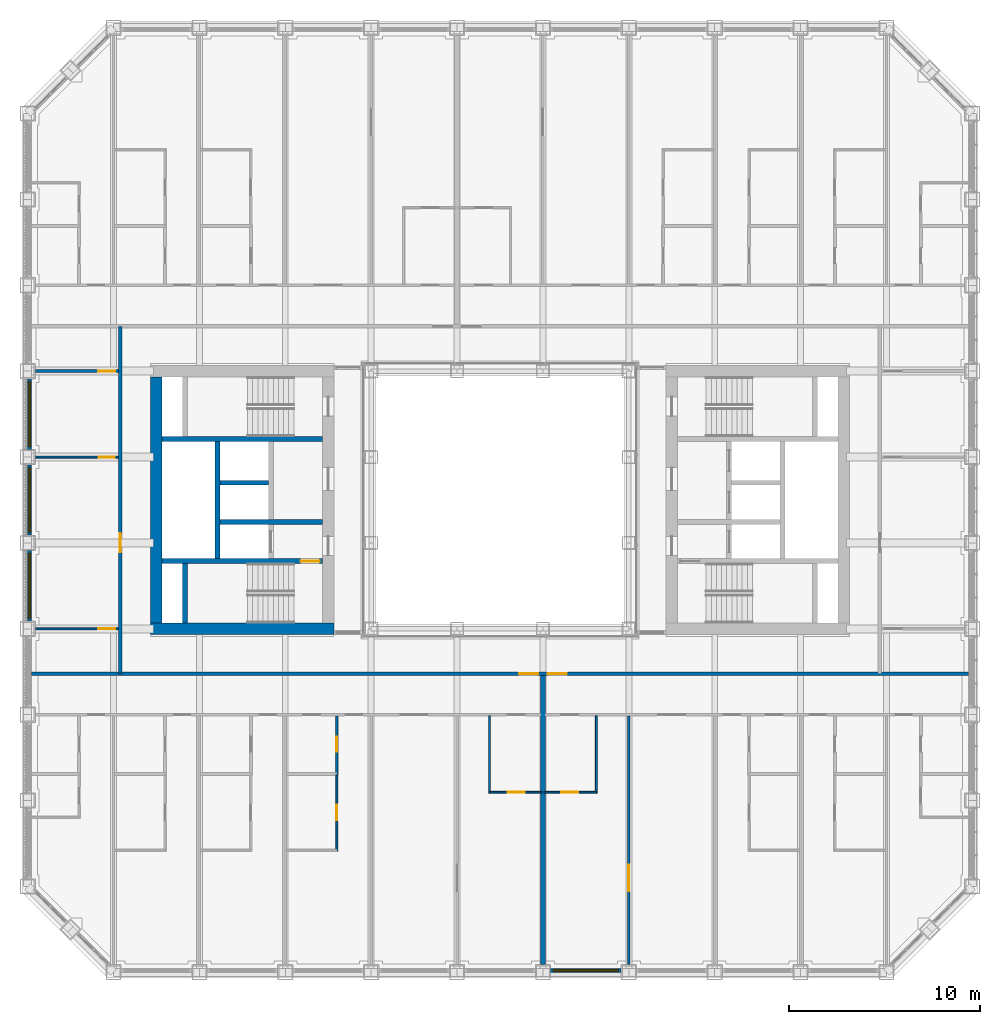
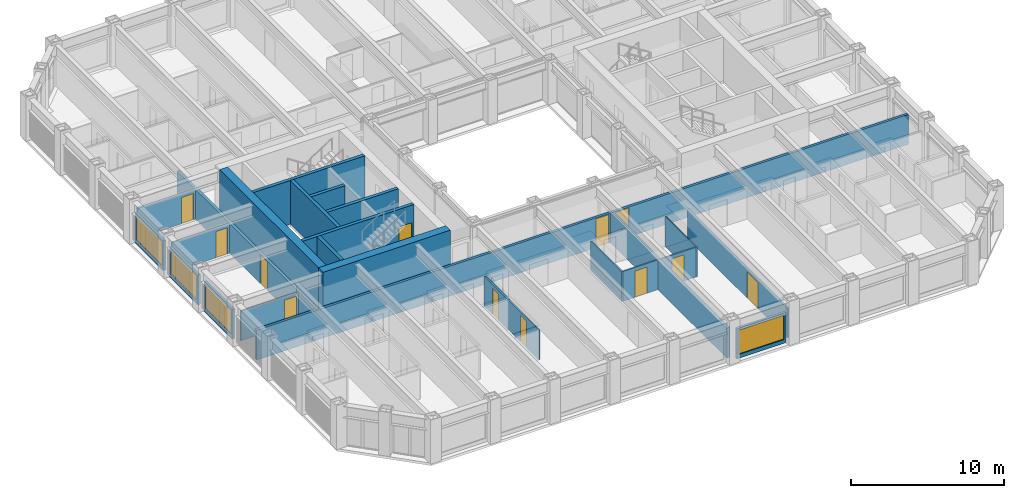
# One storey, part 10 of 21: 25 walls, 12 doors, 4 windows, 16 openings.
"""IFC4 building model written with IfcOpenShell, lengths in metres."""

from ifc_helpers import new_model, si_unit, direction, frame, frame_2d, origin, place, context, subcontext, project, spatial, rectangle, extrude, material, layer, layer_set, type_object, element, fill, save


model = new_model("IFC4")

# Units and contexts
model_context = context("Model", 3, precision=1e-05, world=origin(), true_north=direction((0.0, 1.0)))
body_context = subcontext(model_context, "Body", "Model", "MODEL_VIEW")
ifc_project = project(units=[si_unit("LENGTHUNIT", "METRE"), si_unit("AREAUNIT", "SQUARE_METRE"), si_unit("VOLUMEUNIT", "CUBIC_METRE"), si_unit("PLANEANGLEUNIT", "RADIAN"), si_unit("MASSUNIT", "GRAM", prefix="KILO")], contexts=[model_context])

# Site, building, storey
site_placement = place(None, origin())
site = spatial("IfcSite", under=ifc_project, at=site_placement, CompositionType="ELEMENT")
building_placement = place(site_placement, origin())
building = spatial("IfcBuilding", under=site, at=building_placement, Name="Msasa Ring Tower", CompositionType="ELEMENT")
storey_placement = place(building_placement, frame((0.0, 0.0, 82.5)))
storey = spatial("IfcBuildingStorey", under=building, at=storey_placement, Name="L21", CompositionType="ELEMENT", Elevation=82.5)

# Walls
ifc_material_1 = material(Name="Concrete C60/75", Category="concrete")
ifc_layer_1 = layer(ifc_material_1, 0.60009765625)
ifc_layer_set_1 = layer_set([ifc_layer_1], Name="CW1 CORE WALL 600")
wall_type_1 = type_object("IfcWallType", Name="CW1 CORE WALL 600", PredefinedType="SHEAR", material=ifc_layer_set_1)
wall_1_placement = place(storey_placement, frame((-8.699951171875, -6.75, 0.0), z_axis=(0.0, 0.0, 1.0), x_axis=(-1.0, 0.0, 0.0)))
element("IfcWall", 1, at=wall_1_placement, inside=storey, type_object=wall_type_1, Name="W core wall S L21", PredefinedType="SHEAR", context=body_context, shape_type="SweptSolid", body=[
    extrude(rectangle(XDim=9.60009765625, YDim=0.60009765625, at=frame_2d((4.800048828125, 0.0))), origin(), (0.0, 0.0, 1.0), 3.5),
])
wall_2_placement = place(storey_placement, frame((-18.0, -6.449951171875, 0.0), z_axis=(0.0, 0.0, 1.0), x_axis=(0.0, 1.0, 0.0)))
element("IfcWall", 2, at=wall_2_placement, inside=storey, type_object=wall_type_1, Name="W core wall E L21", PredefinedType="SHEAR", context=body_context, shape_type="SweptSolid", body=[
    extrude(rectangle(XDim=12.89990234375, YDim=0.60009765625, at=frame_2d((6.449951171875, 0.0))), origin(), (0.0, 0.0, 1.0), 3.5),
])

# Wall, opening, door
ifc_material_2 = material(Name="Concrete C60/75", Category="concrete")
ifc_layer_2 = layer(ifc_material_2, 0.25)
ifc_layer_set_2 = layer_set([ifc_layer_2], Name="CW4 CORE INNER WALL 250")
wall_type_2 = type_object("IfcWallType", Name="CW4 CORE INNER WALL 250", PredefinedType="SHEAR", material=ifc_layer_set_2)
wall_3_placement = place(storey_placement, frame((-9.300048828125, -3.199951171875, 0.0), z_axis=(0.0, 0.0, 1.0), x_axis=(-1.0, 0.0, 0.0)))
wall_3 = element("IfcWall", 3, at=wall_3_placement, inside=storey, type_object=wall_type_2, Name="W core wall STAIRA L21", PredefinedType="SHEAR", context=body_context, shape_type="SweptSolid", body=[
    extrude(rectangle(XDim=8.39990234375, YDim=0.25, at=frame_2d((4.199951171875, 0.0))), origin(), (0.0, 0.0, 1.0), 3.5),
])
opening_1_placement = place(wall_3_placement, frame((0.14990234375, 0.0, 0.0)))
opening_1 = element("IfcOpeningElement", 4, at=opening_1_placement, cuts=wall_3, Name="Opening RF-048", PredefinedType="OPENING", context=body_context, shape_type="SweptSolid", body=[
    extrude(rectangle(XDim=1.0, YDim=2.10009765625, at=frame_2d((0.5, 1.050048828125))), frame((0.0, 0.135009765625, 0.0), z_axis=(0.0, -1.0, 0.0), x_axis=(1.0, 0.0, 0.0)), (0.0, 0.0, 1.0), 0.27001953125),
])
ifc_material_3 = material(Name="Timber door leaf in a steel frame", Category="steel")
door_type_1 = type_object("IfcDoorType", Name="D6 STAIR DOOR 1000x2100", OperationType="SINGLE_SWING_LEFT", PredefinedType="DOOR", material=ifc_material_3)
door_1_placement = place(opening_1_placement, origin())
door_1 = element("IfcDoor", 5, at=door_1_placement, inside=storey, type_object=door_type_1, Name="Door L21-WSTA", OperationType="SINGLE_SWING_LEFT", OverallHeight=2.10009765625, OverallWidth=1.0, PredefinedType="DOOR", context=body_context, shape_type="SweptSolid", body=[
    extrude(rectangle(XDim=1.0, YDim=2.10009765625, at=frame_2d((0.5, 1.050048828125))), frame((0.0, 0.02490234375, 0.0), z_axis=(0.0, -1.0, 0.0), x_axis=(1.0, 0.0, 0.0)), (0.0, 0.0, 1.0), 0.050048828125),
])
fill(opening_1, door_1)

# Walls
wall_4_placement = place(storey_placement, frame((-9.300048828125, 3.199951171875, 0.0), z_axis=(0.0, 0.0, 1.0), x_axis=(-1.0, 0.0, 0.0)))
element("IfcWall", 6, at=wall_4_placement, inside=storey, type_object=wall_type_2, Name="W core wall STAIRB L21", PredefinedType="SHEAR", context=body_context, shape_type="SweptSolid", body=[
    extrude(rectangle(XDim=8.39990234375, YDim=0.25, at=frame_2d((4.199951171875, 0.0))), origin(), (0.0, 0.0, 1.0), 3.5),
])
wall_5_placement = place(storey_placement, frame((-16.5, -6.449951171875, 0.0), z_axis=(0.0, 0.0, 1.0), x_axis=(0.0, 1.0, 0.0)))
element("IfcWall", 7, at=wall_5_placement, inside=storey, type_object=wall_type_2, Name="W core wall RISERA L21", PredefinedType="SHEAR", context=body_context, shape_type="SweptSolid", body=[
    extrude(rectangle(XDim=3.125, YDim=0.25, at=frame_2d((1.5625, 0.0))), origin(), (0.0, 0.0, 1.0), 3.5),
])
wall_6_placement = place(storey_placement, frame((-9.300048828125, -1.14990234375, 0.0), z_axis=(0.0, 0.0, 1.0), x_axis=(-1.0, 0.0, 0.0)))
element("IfcWall", 8, at=wall_6_placement, inside=storey, type_object=wall_type_2, Name="W core wall FFL L21", PredefinedType="SHEAR", context=body_context, shape_type="SweptSolid", body=[
    extrude(rectangle(XDim=5.375, YDim=0.25, at=frame_2d((2.6875, 0.0))), origin(), (0.0, 0.0, 1.0), 3.5),
])
wall_7_placement = place(storey_placement, frame((-14.800048828125, -3.074951171875, 0.0), z_axis=(0.0, 0.0, 1.0), x_axis=(0.0, 1.0, 0.0)))
element("IfcWall", 9, at=wall_7_placement, inside=storey, type_object=wall_type_2, Name="W core wall SHAFT L21", PredefinedType="SHEAR", context=body_context, shape_type="SweptSolid", body=[
    extrude(rectangle(XDim=6.14990234375, YDim=0.25, at=frame_2d((3.074951171875, 0.0))), origin(), (0.0, 0.0, 1.0), 3.5),
])
wall_8_placement = place(storey_placement, frame((-12.125, 0.89990234375, 0.0), z_axis=(0.0, 0.0, 1.0), x_axis=(-1.0, 0.0, 0.0)))
element("IfcWall", 10, at=wall_8_placement, inside=storey, type_object=wall_type_2, Name="W core wall LIFT1 L21", PredefinedType="SHEAR", context=body_context, shape_type="SweptSolid", body=[
    extrude(rectangle(XDim=2.550048828125, YDim=0.25, at=frame_2d((1.27490234375, 0.0))), origin(), (0.0, 0.0, 1.0), 3.5),
])

# Wall, opening, window
ifc_material_4 = material(Name="Terracotta rainscreen on blockwork", Category="masonry")
ifc_layer_3 = layer(ifc_material_4, 0.199951171875)
ifc_layer_set_3 = layer_set([ifc_layer_3], Name="FW1 TERRACOTTA-LINED INFILL BAY WALL 200")
wall_type_3 = type_object("IfcWallType", Name="FW1 TERRACOTTA-LINED INFILL BAY WALL 200", PredefinedType="SOLIDWALL", material=ifc_layer_set_3)
wall_9_placement = place(storey_placement, frame((2.655029296875, -24.64990234375, 0.0), z_axis=(0.0, 0.0, 1.0), x_axis=(1.0, 0.0, 0.0)))
wall_9 = element("IfcWall", 11, at=wall_9_placement, inside=storey, type_object=wall_type_3, Name="Infill bay wall S L21 05", PredefinedType="SOLIDWALL", context=body_context, shape_type="SweptSolid", body=[
    extrude(rectangle(XDim=3.68994140625, YDim=0.199951171875, at=frame_2d((1.844970703125, 0.0))), origin(), (0.0, 0.0, 1.0), 2.37890625),
])
opening_2_placement = place(wall_9_placement, frame((0.14501953125, 0.0, 0.300048828125)))
opening_2 = element("IfcOpeningElement", 12, at=opening_2_placement, cuts=wall_9, Name="Opening WN1", PredefinedType="OPENING", context=body_context, shape_type="SweptSolid", body=[
    extrude(rectangle(XDim=3.39990234375, YDim=1.928955078125, at=frame_2d((1.699951171875, 0.96435546875))), frame((0.0, 0.10986328125, 0.0), z_axis=(0.0, -1.0, 0.0), x_axis=(1.0, 0.0, 0.0)), (0.0, 0.0, 1.0), 0.219970703125),
])
ifc_material_5 = material(Name="Aluminium frame with clear glass", Category="aluminium")
window_type = type_object("IfcWindowType", Name="WN1 RESIDENCE WINDOW 3400x1929", PartitioningType="SINGLE_PANEL", PredefinedType="WINDOW", material=ifc_material_5)
window_1_placement = place(opening_2_placement, origin())
window_1 = element("IfcWindow", 13, at=window_1_placement, inside=storey, type_object=window_type, Name="Window S L21 05", OverallHeight=1.928955078125, OverallWidth=3.39990234375, PartitioningType="SINGLE_PANEL", PredefinedType="WINDOW", context=body_context, shape_type="SweptSolid", body=[
    extrude(rectangle(XDim=3.39990234375, YDim=1.928955078125, at=frame_2d((1.699951171875, 0.96435546875))), frame((0.0, 0.030029296875, 0.0), z_axis=(0.0, -1.0, 0.0), x_axis=(1.0, 0.0, 0.0)), (0.0, 0.0, 1.0), 0.06005859375),
])
fill(opening_2, window_1)

wall_10_placement = place(storey_placement, frame((-24.64990234375, -6.344970703125, 0.0), z_axis=(0.0, 0.0, 1.0), x_axis=(0.0, 1.0, 0.0)))
wall_10 = element("IfcWall", 14, at=wall_10_placement, inside=storey, type_object=wall_type_3, Name="Infill bay wall W L21 36", PredefinedType="SOLIDWALL", context=body_context, shape_type="SweptSolid", body=[
    extrude(rectangle(XDim=3.68994140625, YDim=0.199951171875, at=frame_2d((1.844970703125, 0.0))), origin(), (0.0, 0.0, 1.0), 2.37890625),
])
opening_3_placement = place(wall_10_placement, frame((0.14501953125, 0.0, 0.300048828125)))
opening_3 = element("IfcOpeningElement", 15, at=opening_3_placement, cuts=wall_10, Name="Opening WN1", PredefinedType="OPENING", context=body_context, shape_type="SweptSolid", body=[
    extrude(rectangle(XDim=3.39990234375, YDim=1.928955078125, at=frame_2d((1.699951171875, 0.96435546875))), frame((0.0, 0.10986328125, 0.0), z_axis=(0.0, -1.0, 0.0), x_axis=(1.0, 0.0, 0.0)), (0.0, 0.0, 1.0), 0.219970703125),
])
window_2_placement = place(opening_3_placement, origin())
window_2 = element("IfcWindow", 16, at=window_2_placement, inside=storey, type_object=window_type, Name="Window W L21 36", OverallHeight=1.928955078125, OverallWidth=3.39990234375, PartitioningType="SINGLE_PANEL", PredefinedType="WINDOW", context=body_context, shape_type="SweptSolid", body=[
    extrude(rectangle(XDim=3.39990234375, YDim=1.928955078125, at=frame_2d((1.699951171875, 0.96435546875))), frame((0.0, 0.030029296875, 0.0), z_axis=(0.0, -1.0, 0.0), x_axis=(1.0, 0.0, 0.0)), (0.0, 0.0, 1.0), 0.06005859375),
])
fill(opening_3, window_2)

wall_11_placement = place(storey_placement, frame((-24.64990234375, -1.844970703125, 0.0), z_axis=(0.0, 0.0, 1.0), x_axis=(0.0, 1.0, 0.0)))
wall_11 = element("IfcWall", 17, at=wall_11_placement, inside=storey, type_object=wall_type_3, Name="Infill bay wall W L21 37", PredefinedType="SOLIDWALL", context=body_context, shape_type="SweptSolid", body=[
    extrude(rectangle(XDim=3.68994140625, YDim=0.199951171875, at=frame_2d((1.844970703125, 0.0))), origin(), (0.0, 0.0, 1.0), 2.37890625),
])
opening_4_placement = place(wall_11_placement, frame((0.14501953125, 0.0, 0.300048828125)))
opening_4 = element("IfcOpeningElement", 18, at=opening_4_placement, cuts=wall_11, Name="Opening WN1", PredefinedType="OPENING", context=body_context, shape_type="SweptSolid", body=[
    extrude(rectangle(XDim=3.39990234375, YDim=1.928955078125, at=frame_2d((1.699951171875, 0.96435546875))), frame((0.0, 0.10986328125, 0.0), z_axis=(0.0, -1.0, 0.0), x_axis=(1.0, 0.0, 0.0)), (0.0, 0.0, 1.0), 0.219970703125),
])
window_3_placement = place(opening_4_placement, origin())
window_3 = element("IfcWindow", 19, at=window_3_placement, inside=storey, type_object=window_type, Name="Window W L21 37", OverallHeight=1.928955078125, OverallWidth=3.39990234375, PartitioningType="SINGLE_PANEL", PredefinedType="WINDOW", context=body_context, shape_type="SweptSolid", body=[
    extrude(rectangle(XDim=3.39990234375, YDim=1.928955078125, at=frame_2d((1.699951171875, 0.96435546875))), frame((0.0, 0.030029296875, 0.0), z_axis=(0.0, -1.0, 0.0), x_axis=(1.0, 0.0, 0.0)), (0.0, 0.0, 1.0), 0.06005859375),
])
fill(opening_4, window_3)

wall_12_placement = place(storey_placement, frame((-24.64990234375, 2.655029296875, 0.0), z_axis=(0.0, 0.0, 1.0), x_axis=(0.0, 1.0, 0.0)))
wall_12 = element("IfcWall", 20, at=wall_12_placement, inside=storey, type_object=wall_type_3, Name="Infill bay wall W L21 38", PredefinedType="SOLIDWALL", context=body_context, shape_type="SweptSolid", body=[
    extrude(rectangle(XDim=3.68994140625, YDim=0.199951171875, at=frame_2d((1.844970703125, 0.0))), origin(), (0.0, 0.0, 1.0), 2.37890625),
])
opening_5_placement = place(wall_12_placement, frame((0.14501953125, 0.0, 0.300048828125)))
opening_5 = element("IfcOpeningElement", 21, at=opening_5_placement, cuts=wall_12, Name="Opening WN1", PredefinedType="OPENING", context=body_context, shape_type="SweptSolid", body=[
    extrude(rectangle(XDim=3.39990234375, YDim=1.928955078125, at=frame_2d((1.699951171875, 0.96435546875))), frame((0.0, 0.10986328125, 0.0), z_axis=(0.0, -1.0, 0.0), x_axis=(1.0, 0.0, 0.0)), (0.0, 0.0, 1.0), 0.219970703125),
])
window_4_placement = place(opening_5_placement, origin())
window_4 = element("IfcWindow", 22, at=window_4_placement, inside=storey, type_object=window_type, Name="Window W L21 38", OverallHeight=1.928955078125, OverallWidth=3.39990234375, PartitioningType="SINGLE_PANEL", PredefinedType="WINDOW", context=body_context, shape_type="SweptSolid", body=[
    extrude(rectangle(XDim=3.39990234375, YDim=1.928955078125, at=frame_2d((1.699951171875, 0.96435546875))), frame((0.0, 0.030029296875, 0.0), z_axis=(0.0, -1.0, 0.0), x_axis=(1.0, 0.0, 0.0)), (0.0, 0.0, 1.0), 0.06005859375),
])
fill(opening_5, window_4)

# Wall, openings, doors
ifc_material_6 = material(Name="Concrete blockwork", Category="masonry")
ifc_layer_4 = layer(ifc_material_6, 0.199951171875)
ifc_layer_set_4 = layer_set([ifc_layer_4], Name="PT1 CORRIDOR WALL 200")
wall_type_4 = type_object("IfcWallType", Name="PT1 CORRIDOR WALL 200", PredefinedType="PARTITIONING", material=ifc_layer_set_4)
wall_13_placement = place(storey_placement, frame((-24.550048828125, -9.10009765625, 0.0), z_axis=(0.0, 0.0, 1.0), x_axis=(1.0, 0.0, 0.0)))
wall_13 = element("IfcWall", 23, at=wall_13_placement, inside=storey, type_object=wall_type_4, Name="Corridor wall L21-CORRS0", PredefinedType="PARTITIONING", context=body_context, shape_type="SweptSolid", body=[
    extrude(rectangle(XDim=49.10009765625, YDim=0.199951171875, at=frame_2d((24.550048828125, 0.0))), origin(), (0.0, 0.0, 1.0), 2.373291015625),
])
opening_6_placement = place(wall_13_placement, frame((25.550048828125, 0.0, 0.0)))
opening_6 = element("IfcOpeningElement", 24, at=opening_6_placement, cuts=wall_13, Name="Opening RF-054", PredefinedType="OPENING", context=body_context, shape_type="SweptSolid", body=[
    extrude(rectangle(XDim=1.0, YDim=2.300048828125, at=frame_2d((0.5, 1.14990234375))), frame((0.0, 0.10986328125, 0.0), z_axis=(0.0, -1.0, 0.0), x_axis=(1.0, 0.0, 0.0)), (0.0, 0.0, 1.0), 0.219970703125),
])
opening_7_placement = place(wall_13_placement, frame((27.050048828125, 0.0, 0.0)))
opening_7 = element("IfcOpeningElement", 25, at=opening_7_placement, cuts=wall_13, Name="Opening RF-055", PredefinedType="OPENING", context=body_context, shape_type="SweptSolid", body=[
    extrude(rectangle(XDim=1.0, YDim=2.300048828125, at=frame_2d((0.5, 1.14990234375))), frame((0.0, 0.10986328125, 0.0), z_axis=(0.0, -1.0, 0.0), x_axis=(1.0, 0.0, 0.0)), (0.0, 0.0, 1.0), 0.219970703125),
])
ifc_material_7 = material(Name="Timber door leaf in a steel frame", Category="steel")
door_type_2 = type_object("IfcDoorType", Name="D16 UPPER RESIDENCE ENTRANCE DOOR 1000x2300", OperationType="SINGLE_SWING_LEFT", PredefinedType="DOOR", material=ifc_material_7)
door_2_placement = place(opening_6_placement, origin())
door_2 = element("IfcDoor", 26, at=door_2_placement, inside=storey, type_object=door_type_2, Name="Door L21-VSW", OperationType="SINGLE_SWING_RIGHT", OverallHeight=2.300048828125, OverallWidth=1.0, PredefinedType="DOOR", context=body_context, shape_type="SweptSolid", body=[
    extrude(rectangle(XDim=1.0, YDim=2.300048828125, at=frame_2d((0.5, 1.14990234375))), frame((0.0, 0.02490234375, 0.0), z_axis=(0.0, -1.0, 0.0), x_axis=(1.0, 0.0, 0.0)), (0.0, 0.0, 1.0), 0.050048828125),
])
fill(opening_6, door_2)
door_3_placement = place(opening_7_placement, origin())
door_3 = element("IfcDoor", 27, at=door_3_placement, inside=storey, type_object=door_type_2, Name="Door L21-VSE", OperationType="SINGLE_SWING_RIGHT", OverallHeight=2.300048828125, OverallWidth=1.0, PredefinedType="DOOR", context=body_context, shape_type="SweptSolid", body=[
    extrude(rectangle(XDim=1.0, YDim=2.300048828125, at=frame_2d((0.5, 1.14990234375))), frame((0.0, 0.02490234375, 0.0), z_axis=(0.0, -1.0, 0.0), x_axis=(1.0, 0.0, 0.0)), (0.0, 0.0, 1.0), 0.050048828125),
])
fill(opening_7, door_3)

# Wall, opening, door
wall_14_placement = place(storey_placement, frame((-19.89990234375, -9.10009765625, 0.0), z_axis=(0.0, 0.0, 1.0), x_axis=(0.0, 1.0, 0.0)))
wall_14 = element("IfcWall", 28, at=wall_14_placement, inside=storey, type_object=wall_type_4, Name="Corridor wall L21-STRW", PredefinedType="PARTITIONING", context=body_context, shape_type="SweptSolid", body=[
    extrude(rectangle(XDim=18.2001953125, YDim=0.199951171875, at=frame_2d((9.10009765625, 0.0))), origin(), (0.0, 0.0, 1.0), 2.373291015625),
])
opening_8_placement = place(wall_14_placement, frame((6.35009765625, 0.0, 0.0)))
opening_8 = element("IfcOpeningElement", 29, at=opening_8_placement, cuts=wall_14, Name="Opening RF-044", PredefinedType="OPENING", context=body_context, shape_type="SweptSolid", body=[
    extrude(rectangle(XDim=1.0, YDim=2.300048828125, at=frame_2d((0.5, 1.14990234375))), frame((0.0, 0.10986328125, 0.0), z_axis=(0.0, -1.0, 0.0), x_axis=(1.0, 0.0, 0.0)), (0.0, 0.0, 1.0), 0.219970703125),
])
door_4_placement = place(opening_8_placement, origin())
door_4 = element("IfcDoor", 30, at=door_4_placement, inside=storey, type_object=door_type_2, Name="Door L21-STW", OperationType="SINGLE_SWING_LEFT", OverallHeight=2.300048828125, OverallWidth=1.0, PredefinedType="DOOR", context=body_context, shape_type="SweptSolid", body=[
    extrude(rectangle(XDim=1.0, YDim=2.300048828125, at=frame_2d((0.5, 1.14990234375))), frame((0.0, 0.02490234375, 0.0), z_axis=(0.0, -1.0, 0.0), x_axis=(1.0, 0.0, 0.0)), (0.0, 0.0, 1.0), 0.050048828125),
])
fill(opening_8, door_4)

# Wall
ifc_material_8 = material(Name="Gypsum board on steel studs", Category="steel")
ifc_layer_5 = layer(ifc_material_8, 0.10009765625)
ifc_layer_set_5 = layer_set([ifc_layer_5], Name="PT2 STUD PARTITION 100")
wall_type_5 = type_object("IfcWallType", Name="PT2 STUD PARTITION 100", PredefinedType="PARTITIONING", material=ifc_layer_set_5)
wall_15_placement = place(storey_placement, frame((-0.550048828125, -15.362548828125, 0.0), z_axis=(0.0, 0.0, 1.0), x_axis=(0.0, 1.0, 0.0)))
element("IfcWall", 31, at=wall_15_placement, inside=storey, type_object=wall_type_5, Name="Partition L21-VSWKX", PredefinedType="PARTITIONING", context=body_context, shape_type="SweptSolid", body=[
    extrude(rectangle(XDim=4.050048828125, YDim=0.10009765625, at=frame_2d((2.02490234375, 0.0))), origin(), (0.0, 0.0, 1.0), 2.373291015625),
])

# Wall, opening, door
wall_16_placement = place(storey_placement, frame((-0.550048828125, -15.3125, 0.0), z_axis=(0.0, 0.0, 1.0), x_axis=(1.0, 0.0, 0.0)))
wall_16 = element("IfcWall", 32, at=wall_16_placement, inside=storey, type_object=wall_type_5, Name="Partition L21-VSWKY", PredefinedType="PARTITIONING", context=body_context, shape_type="SweptSolid", body=[
    extrude(rectangle(XDim=2.732666015625, YDim=0.10009765625, at=frame_2d((1.3662109375, 0.0))), origin(), (0.0, 0.0, 1.0), 2.373291015625),
])
opening_9_placement = place(wall_16_placement, frame((0.949951171875, 0.0, 0.0)))
opening_9 = element("IfcOpeningElement", 33, at=opening_9_placement, cuts=wall_16, Name="Opening RF-076", PredefinedType="OPENING", context=body_context, shape_type="SweptSolid", body=[
    extrude(rectangle(XDim=0.89990234375, YDim=2.10009765625, at=frame_2d((0.449951171875, 1.050048828125))), frame((0.0, 0.06005859375, 0.0), z_axis=(0.0, -1.0, 0.0), x_axis=(1.0, 0.0, 0.0)), (0.0, 0.0, 1.0), 0.1201171875),
])
ifc_material_9 = material(Name="Timber door leaf in a steel frame", Category="steel")
door_type_3 = type_object("IfcDoorType", Name="D22 INTERNAL HALL DOOR 900x2100", OperationType="SINGLE_SWING_LEFT", PredefinedType="DOOR", material=ifc_material_9)
door_5_placement = place(opening_9_placement, origin())
door_5 = element("IfcDoor", 34, at=door_5_placement, inside=storey, type_object=door_type_3, Name="Door L21-VSWKD", OperationType="SINGLE_SWING_RIGHT", OverallHeight=2.10009765625, OverallWidth=0.89990234375, PredefinedType="DOOR", context=body_context, shape_type="SweptSolid", body=[
    extrude(rectangle(XDim=0.89990234375, YDim=2.10009765625, at=frame_2d((0.449951171875, 1.050048828125))), frame((0.0, 0.02490234375, 0.0), z_axis=(0.0, -1.0, 0.0), x_axis=(1.0, 0.0, 0.0)), (0.0, 0.0, 1.0), 0.050048828125),
])
fill(opening_9, door_5)

wall_17_placement = place(storey_placement, frame((-8.550048828125, -18.403076171875, 0.0), z_axis=(0.0, 0.0, 1.0), x_axis=(0.0, 1.0, 0.0)))
wall_17 = element("IfcWall", 35, at=wall_17_placement, inside=storey, type_object=wall_type_5, Name="Partition L21-VSWWX1", PredefinedType="PARTITIONING", context=body_context, shape_type="SweptSolid", body=[
    extrude(rectangle(XDim=4.003173828125, YDim=0.10009765625, at=frame_2d((2.00146484375, 0.0))), origin(), (0.0, 0.0, 1.0), 2.373291015625),
])
opening_10_placement = place(wall_17_placement, frame((1.626708984375, 0.0, 0.0)))
opening_10 = element("IfcOpeningElement", 36, at=opening_10_placement, cuts=wall_17, Name="Opening RF-082", PredefinedType="OPENING", context=body_context, shape_type="SweptSolid", body=[
    extrude(rectangle(XDim=0.800048828125, YDim=2.10009765625, at=frame_2d((0.39990234375, 1.050048828125))), frame((0.0, 0.06005859375, 0.0), z_axis=(0.0, -1.0, 0.0), x_axis=(1.0, 0.0, 0.0)), (0.0, 0.0, 1.0), 0.1201171875),
])
ifc_material_10 = material(Name="Timber door leaf in a steel frame", Category="steel")
door_type_4 = type_object("IfcDoorType", Name="D60 DRESSING ROOM DOOR 800x2100", OperationType="SINGLE_SWING_LEFT", PredefinedType="DOOR", material=ifc_material_10)
door_6_placement = place(opening_10_placement, origin())
door_6 = element("IfcDoor", 37, at=door_6_placement, inside=storey, type_object=door_type_4, Name="Door L21-VSWW1", OperationType="SINGLE_SWING_LEFT", OverallHeight=2.10009765625, OverallWidth=0.800048828125, PredefinedType="DOOR", context=body_context, shape_type="SweptSolid", body=[
    extrude(rectangle(XDim=0.800048828125, YDim=2.10009765625, at=frame_2d((0.39990234375, 1.050048828125))), frame((0.0, 0.02490234375, 0.0), z_axis=(0.0, -1.0, 0.0), x_axis=(1.0, 0.0, 0.0)), (0.0, 0.0, 1.0), 0.050048828125),
])
fill(opening_10, door_6)

# Wall
wall_18_placement = place(storey_placement, frame((5.050048828125, -15.362548828125, 0.0), z_axis=(0.0, 0.0, 1.0), x_axis=(0.0, 1.0, 0.0)))
element("IfcWall", 38, at=wall_18_placement, inside=storey, type_object=wall_type_5, Name="Partition L21-VSEKX", PredefinedType="PARTITIONING", context=body_context, shape_type="SweptSolid", body=[
    extrude(rectangle(XDim=4.050048828125, YDim=0.10009765625, at=frame_2d((2.02490234375, 0.0))), origin(), (0.0, 0.0, 1.0), 2.373291015625),
])

# Wall, opening, door
wall_19_placement = place(storey_placement, frame((2.3173828125, -15.3125, 0.0), z_axis=(0.0, 0.0, 1.0), x_axis=(1.0, 0.0, 0.0)))
wall_19 = element("IfcWall", 39, at=wall_19_placement, inside=storey, type_object=wall_type_5, Name="Partition L21-VSEKY", PredefinedType="PARTITIONING", context=body_context, shape_type="SweptSolid", body=[
    extrude(rectangle(XDim=2.732666015625, YDim=0.10009765625, at=frame_2d((1.3662109375, 0.0))), origin(), (0.0, 0.0, 1.0), 2.373291015625),
])
opening_11_placement = place(wall_19_placement, frame((0.882568359375, 0.0, 0.0)))
opening_11 = element("IfcOpeningElement", 40, at=opening_11_placement, cuts=wall_19, Name="Opening RF-077", PredefinedType="OPENING", context=body_context, shape_type="SweptSolid", body=[
    extrude(rectangle(XDim=0.89990234375, YDim=2.10009765625, at=frame_2d((0.449951171875, 1.050048828125))), frame((0.0, 0.06005859375, 0.0), z_axis=(0.0, -1.0, 0.0), x_axis=(1.0, 0.0, 0.0)), (0.0, 0.0, 1.0), 0.1201171875),
])
door_7_placement = place(opening_11_placement, origin())
door_7 = element("IfcDoor", 41, at=door_7_placement, inside=storey, type_object=door_type_3, Name="Door L21-VSEKD", OperationType="SINGLE_SWING_LEFT", OverallHeight=2.10009765625, OverallWidth=0.89990234375, PredefinedType="DOOR", context=body_context, shape_type="SweptSolid", body=[
    extrude(rectangle(XDim=0.89990234375, YDim=2.10009765625, at=frame_2d((0.449951171875, 1.050048828125))), frame((0.0, 0.02490234375, 0.0), z_axis=(0.0, -1.0, 0.0), x_axis=(1.0, 0.0, 0.0)), (0.0, 0.0, 1.0), 0.050048828125),
])
fill(opening_11, door_7)

wall_20_placement = place(storey_placement, frame((-24.35009765625, -6.75, 0.0), z_axis=(0.0, 0.0, 1.0), x_axis=(1.0, 0.0, 0.0)))
wall_20 = element("IfcWall", 42, at=wall_20_placement, inside=storey, type_object=wall_type_5, Name="Partition L21-STWKY", PredefinedType="PARTITIONING", context=body_context, shape_type="SweptSolid", body=[
    extrude(rectangle(XDim=4.35009765625, YDim=0.10009765625, at=frame_2d((2.175048828125, 0.0))), origin(), (0.0, 0.0, 1.0), 2.373291015625),
])
opening_12_placement = place(wall_20_placement, frame((3.300048828125, 0.0, 0.0)))
opening_12 = element("IfcOpeningElement", 43, at=opening_12_placement, cuts=wall_20, Name="Opening RF-050", PredefinedType="OPENING", context=body_context, shape_type="SweptSolid", body=[
    extrude(rectangle(XDim=0.89990234375, YDim=2.10009765625, at=frame_2d((0.449951171875, 1.050048828125))), frame((0.0, 0.06005859375, 0.0), z_axis=(0.0, -1.0, 0.0), x_axis=(1.0, 0.0, 0.0)), (0.0, 0.0, 1.0), 0.1201171875),
])
door_8_placement = place(opening_12_placement, origin())
door_8 = element("IfcDoor", 44, at=door_8_placement, inside=storey, type_object=door_type_3, Name="Door L21-STWK", OperationType="SINGLE_SWING_RIGHT", OverallHeight=2.10009765625, OverallWidth=0.89990234375, PredefinedType="DOOR", context=body_context, shape_type="SweptSolid", body=[
    extrude(rectangle(XDim=0.89990234375, YDim=2.10009765625, at=frame_2d((0.449951171875, 1.050048828125))), frame((0.0, 0.02490234375, 0.0), z_axis=(0.0, -1.0, 0.0), x_axis=(1.0, 0.0, 0.0)), (0.0, 0.0, 1.0), 0.050048828125),
])
fill(opening_12, door_8)

wall_21_placement = place(storey_placement, frame((-24.35009765625, 2.25, 0.0), z_axis=(0.0, 0.0, 1.0), x_axis=(1.0, 0.0, 0.0)))
wall_21 = element("IfcWall", 45, at=wall_21_placement, inside=storey, type_object=wall_type_5, Name="Partition L21-STWRY", PredefinedType="PARTITIONING", context=body_context, shape_type="SweptSolid", body=[
    extrude(rectangle(XDim=4.35009765625, YDim=0.10009765625, at=frame_2d((2.175048828125, 0.0))), origin(), (0.0, 0.0, 1.0), 2.373291015625),
])
opening_13_placement = place(wall_21_placement, frame((3.324951171875, 0.0, 0.0)))
opening_13 = element("IfcOpeningElement", 46, at=opening_13_placement, cuts=wall_21, Name="Opening RF-040", PredefinedType="OPENING", context=body_context, shape_type="SweptSolid", body=[
    extrude(rectangle(XDim=0.85009765625, YDim=2.10009765625, at=frame_2d((0.425048828125, 1.050048828125))), frame((0.0, 0.06005859375, 0.0), z_axis=(0.0, -1.0, 0.0), x_axis=(1.0, 0.0, 0.0)), (0.0, 0.0, 1.0), 0.1201171875),
])
ifc_material_11 = material(Name="Timber door leaf in a steel frame", Category="steel")
door_type_5 = type_object("IfcDoorType", Name="D14 BEDROOM DOOR 850x2100", OperationType="SINGLE_SWING_LEFT", PredefinedType="DOOR", material=ifc_material_11)
door_9_placement = place(opening_13_placement, origin())
door_9 = element("IfcDoor", 47, at=door_9_placement, inside=storey, type_object=door_type_5, Name="Door L21-STWR", OperationType="SINGLE_SWING_RIGHT", OverallHeight=2.10009765625, OverallWidth=0.85009765625, PredefinedType="DOOR", context=body_context, shape_type="SweptSolid", body=[
    extrude(rectangle(XDim=0.85009765625, YDim=2.10009765625, at=frame_2d((0.425048828125, 1.050048828125))), frame((0.0, 0.02490234375, 0.0), z_axis=(0.0, -1.0, 0.0), x_axis=(1.0, 0.0, 0.0)), (0.0, 0.0, 1.0), 0.050048828125),
])
fill(opening_13, door_9)

# Wall
ifc_material_12 = material(Name="Dense concrete blockwork, plastered both faces", Category="masonry")
ifc_layer_6 = layer(ifc_material_12, 0.25)
ifc_layer_set_6 = layer_set([ifc_layer_6], Name="PT3 APARTMENT SEPARATING WALL 250")
wall_type_6 = type_object("IfcWallType", Name="PT3 APARTMENT SEPARATING WALL 250", PredefinedType="PARTITIONING", material=ifc_layer_set_6)
wall_22_placement = place(storey_placement, frame((2.25, -24.35009765625, 0.0), z_axis=(0.0, 0.0, 1.0), x_axis=(0.0, 1.0, 0.0)))
element("IfcWall", 48, at=wall_22_placement, inside=storey, type_object=wall_type_6, Name="Party wall L21-PWS+2.25", PredefinedType="PARTITIONING", context=body_context, shape_type="SweptSolid", body=[
    extrude(rectangle(XDim=15.150146484375, YDim=0.25, at=frame_2d((7.5751953125, 0.0))), origin(), (0.0, 0.0, 1.0), 2.373291015625),
])

# Wall, opening, door
ifc_material_13 = material(Name="Moisture-resistant board on steel studs with a concealed cistern and pipe void, tiled", Category="steel")
ifc_layer_7 = layer(ifc_material_13, 0.14990234375)
ifc_layer_set_7 = layer_set([ifc_layer_7], Name="PT4 BATHROOM WET WALL 150")
wall_type_7 = type_object("IfcWallType", Name="PT4 BATHROOM WET WALL 150", PredefinedType="PARTITIONING", material=ifc_layer_set_7)
wall_23_placement = place(storey_placement, frame((-8.550048828125, -14.39990234375, 0.0), z_axis=(0.0, 0.0, 1.0), x_axis=(0.0, 1.0, 0.0)))
wall_23 = element("IfcWall", 49, at=wall_23_placement, inside=storey, type_object=wall_type_7, Name="Partition L21-VSWBX1", PredefinedType="PARTITIONING", context=body_context, shape_type="SweptSolid", body=[
    extrude(rectangle(XDim=3.08740234375, YDim=0.14990234375, at=frame_2d((1.543701171875, 0.0))), origin(), (0.0, 0.0, 1.0), 2.373291015625),
])
opening_14_placement = place(wall_23_placement, frame((1.199951171875, 0.0, 0.0)))
opening_14 = element("IfcOpeningElement", 50, at=opening_14_placement, cuts=wall_23, Name="Opening RF-072", PredefinedType="OPENING", context=body_context, shape_type="SweptSolid", body=[
    extrude(rectangle(XDim=0.800048828125, YDim=2.10009765625, at=frame_2d((0.39990234375, 1.050048828125))), frame((0.0, 0.0849609375, 0.0), z_axis=(0.0, -1.0, 0.0), x_axis=(1.0, 0.0, 0.0)), (0.0, 0.0, 1.0), 0.169921875),
])
ifc_material_14 = material(Name="Timber door leaf in a steel frame", Category="steel")
door_type_6 = type_object("IfcDoorType", Name="D21 POCKET SLIDING BATHROOM DOOR 800x2100", OperationType="SINGLE_SWING_LEFT", PredefinedType="DOOR", material=ifc_material_14)
door_10_placement = place(opening_14_placement, origin())
door_10 = element("IfcDoor", 51, at=door_10_placement, inside=storey, type_object=door_type_6, Name="Door L21-VSWB1", OperationType="SINGLE_SWING_RIGHT", OverallHeight=2.10009765625, OverallWidth=0.800048828125, PredefinedType="DOOR", context=body_context, shape_type="SweptSolid", body=[
    extrude(rectangle(XDim=0.800048828125, YDim=2.10009765625, at=frame_2d((0.39990234375, 1.050048828125))), frame((0.0, 0.02490234375, 0.0), z_axis=(0.0, -1.0, 0.0), x_axis=(1.0, 0.0, 0.0)), (0.0, 0.0, 1.0), 0.050048828125),
])
fill(opening_14, door_10)

wall_24_placement = place(storey_placement, frame((-24.35009765625, 6.75, 0.0), z_axis=(0.0, 0.0, 1.0), x_axis=(1.0, 0.0, 0.0)))
wall_24 = element("IfcWall", 52, at=wall_24_placement, inside=storey, type_object=wall_type_7, Name="Partition L21-STWBY", PredefinedType="PARTITIONING", context=body_context, shape_type="SweptSolid", body=[
    extrude(rectangle(XDim=4.35009765625, YDim=0.14990234375, at=frame_2d((2.175048828125, 0.0))), origin(), (0.0, 0.0, 1.0), 2.373291015625),
])
opening_15_placement = place(wall_24_placement, frame((3.300048828125, 0.0, 0.0)))
opening_15 = element("IfcOpeningElement", 53, at=opening_15_placement, cuts=wall_24, Name="Opening RF-036", PredefinedType="OPENING", context=body_context, shape_type="SweptSolid", body=[
    extrude(rectangle(XDim=0.89990234375, YDim=2.10009765625, at=frame_2d((0.449951171875, 1.050048828125))), frame((0.0, 0.0849609375, 0.0), z_axis=(0.0, -1.0, 0.0), x_axis=(1.0, 0.0, 0.0)), (0.0, 0.0, 1.0), 0.169921875),
])
ifc_material_15 = material(Name="Timber door leaf in a steel frame", Category="steel")
door_type_7 = type_object("IfcDoorType", Name="D3 BATHROOM DOOR 900x2100", OperationType="SINGLE_SWING_LEFT", PredefinedType="DOOR", material=ifc_material_15)
door_11_placement = place(opening_15_placement, origin())
door_11 = element("IfcDoor", 54, at=door_11_placement, inside=storey, type_object=door_type_7, Name="Door L21-STWB", OperationType="SINGLE_SWING_RIGHT", OverallHeight=2.10009765625, OverallWidth=0.89990234375, PredefinedType="DOOR", context=body_context, shape_type="SweptSolid", body=[
    extrude(rectangle(XDim=0.89990234375, YDim=2.10009765625, at=frame_2d((0.449951171875, 1.050048828125))), frame((0.0, 0.02490234375, 0.0), z_axis=(0.0, -1.0, 0.0), x_axis=(1.0, 0.0, 0.0)), (0.0, 0.0, 1.0), 0.050048828125),
])
fill(opening_15, door_11)

ifc_material_16 = material(Name="Two layers of acoustic board each face on steel studs, mineral wool", Category="steel")
ifc_layer_8 = layer(ifc_material_16, 0.125)
ifc_layer_set_8 = layer_set([ifc_layer_8], Name="PT6 ACOUSTIC DOUBLE-BOARD PARTITION 125")
wall_type_8 = type_object("IfcWallType", Name="PT6 ACOUSTIC DOUBLE-BOARD PARTITION 125", PredefinedType="PARTITIONING", material=ifc_layer_set_8)
wall_25_placement = place(storey_placement, frame((6.75, -24.35009765625, 0.0), z_axis=(0.0, 0.0, 1.0), x_axis=(0.0, 1.0, 0.0)))
wall_25 = element("IfcWall", 55, at=wall_25_placement, inside=storey, type_object=wall_type_8, Name="Partition L21-VSELM", PredefinedType="PARTITIONING", context=body_context, shape_type="SweptSolid", body=[
    extrude(rectangle(XDim=13.03759765625, YDim=0.125, at=frame_2d((6.518798828125, 0.0))), origin(), (0.0, 0.0, 1.0), 2.373291015625),
])
opening_16_placement = place(wall_25_placement, frame((3.84375, 0.0, 0.0)))
opening_16 = element("IfcOpeningElement", 56, at=opening_16_placement, cuts=wall_25, Name="Opening RF-086", PredefinedType="OPENING", context=body_context, shape_type="SweptSolid", body=[
    extrude(rectangle(XDim=1.39990234375, YDim=2.10009765625, at=frame_2d((0.699951171875, 1.050048828125))), frame((0.0, 0.072509765625, 0.0), z_axis=(0.0, -1.0, 0.0), x_axis=(1.0, 0.0, 0.0)), (0.0, 0.0, 1.0), 0.14501953125),
])
ifc_material_17 = material(Name="Timber door leaf in a steel frame", Category="steel")
door_type_8 = type_object("IfcDoorType", Name="D15 LIVING ROOM PAIR OF GLAZED DOORS 1400x2100", OperationType="SINGLE_SWING_LEFT", PredefinedType="DOOR", material=ifc_material_17)
door_12_placement = place(opening_16_placement, origin())
door_12 = element("IfcDoor", 57, at=door_12_placement, inside=storey, type_object=door_type_8, Name="Door L21-VSELD", OperationType="SINGLE_SWING_LEFT", OverallHeight=2.10009765625, OverallWidth=1.39990234375, PredefinedType="DOOR", context=body_context, shape_type="SweptSolid", body=[
    extrude(rectangle(XDim=1.39990234375, YDim=2.10009765625, at=frame_2d((0.699951171875, 1.050048828125))), frame((0.0, 0.02490234375, 0.0), z_axis=(0.0, -1.0, 0.0), x_axis=(1.0, 0.0, 0.0)), (0.0, 0.0, 1.0), 0.050048828125),
])
fill(opening_16, door_12)

save(model, "model.ifc")
